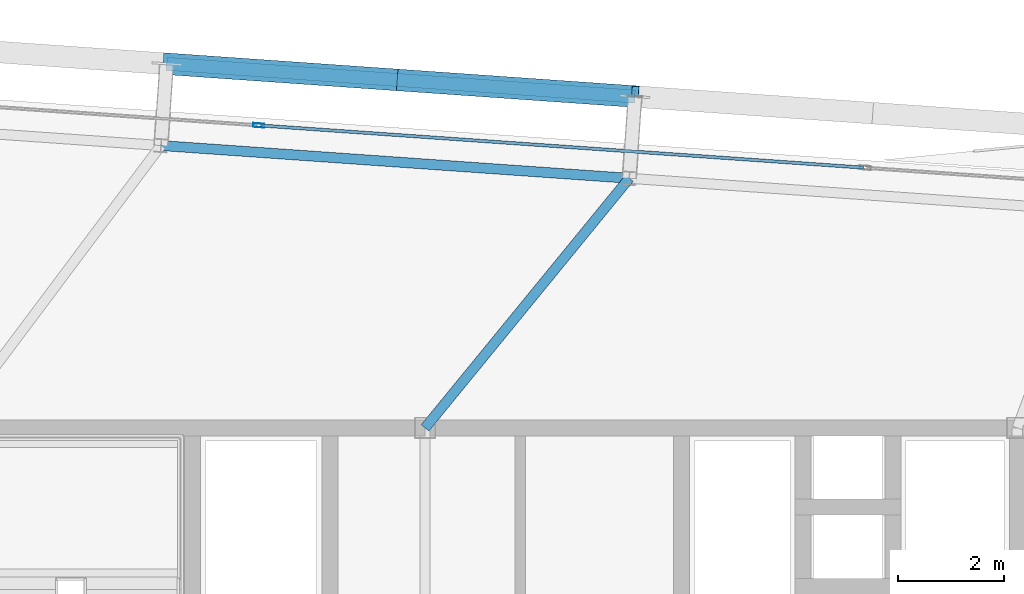
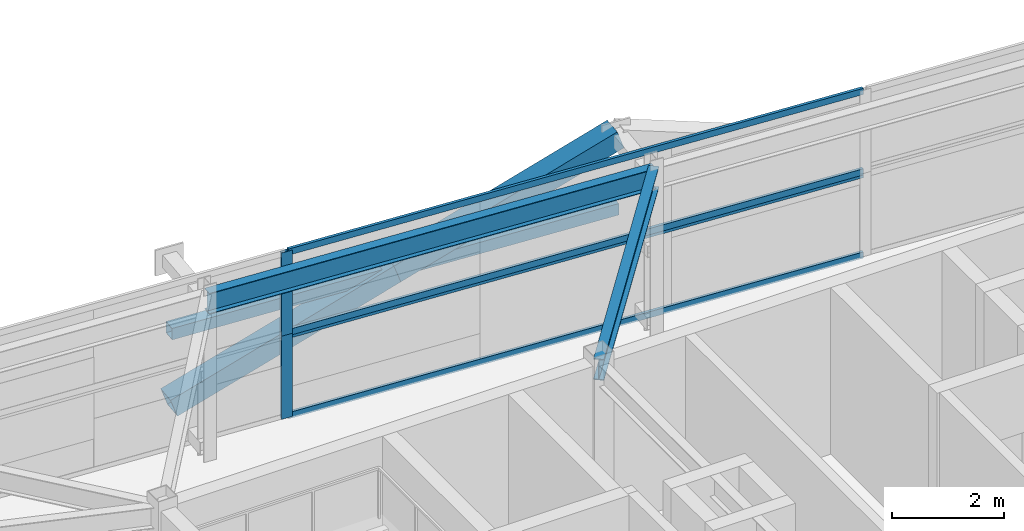
# One storey, part 20 of 36: 9 members, 2 beams, 2 elements without a shape of their own.
"""IFC4 building model written with IfcOpenShell, lengths in metres."""

from ifc_helpers import new_model, si_unit, direction, frame, origin, origin_2d, place, context, subcontext, project, spatial, hollow_rectangle, i_section, extrude, source, transform, mapped, material, layer, layer_set, material_profile, profile_set, type_object, element, aggregate, save


model = new_model("IFC4")

# Units and contexts
model_context = context("Model", 3, precision=1e-05, world=origin(), true_north=direction((0.0, 1.0)))
body_context = subcontext(model_context, "Body", "Model", "MODEL_VIEW")
ifc_project = project(units=[si_unit("LENGTHUNIT", "METRE"), si_unit("AREAUNIT", "SQUARE_METRE"), si_unit("VOLUMEUNIT", "CUBIC_METRE"), si_unit("PLANEANGLEUNIT", "RADIAN"), si_unit("MASSUNIT", "GRAM", prefix="KILO")], contexts=[model_context])

# Site, building, storey
site_placement = place(None, origin())
site = spatial("IfcSite", under=ifc_project, at=site_placement, CompositionType="ELEMENT")
building_placement = place(site_placement, origin())
building = spatial("IfcBuilding", under=site, at=building_placement, Name="Taldren Reach Tower", CompositionType="ELEMENT")
storey_placement = place(building_placement, frame((0.0, 0.0, 116.550048828125)))
storey = spatial("IfcBuildingStorey", under=building, at=storey_placement, Name="L35", CompositionType="ELEMENT", Elevation=116.550048828125)

# Beams
ifc_material_1 = material(Name="Steel Gr 350 (350PLUS)", Category="steel")
ifc_material_profile_1 = material_profile(ifc_material_1, i_section(OverallWidth=0.18994140625, OverallDepth=0.4541015625, WebThickness=0.008544921875, FlangeThickness=0.0126953125, at=origin_2d()), Name="460UB67.1")
ifc_profile_set_1 = profile_set([ifc_material_profile_1], Name="Steel Gr 350 (350PLUS)")
beam_type_1 = type_object("IfcBeamType", Name="SP-UB460B", PredefinedType="SPANDREL", material=ifc_profile_set_1)
shared_shape_1 = source(origin(), body_context, "Body", "SweptSolid", [
    extrude(i_section(OverallWidth=0.18994140625, OverallDepth=0.4541015625, WebThickness=0.008544921875, FlangeThickness=0.0126953125, at=origin_2d()), origin(), (0.0, 0.0, 1.0), 8.880126953125),
])
beam_1_placement = place(storey_placement, frame((31.861328125, 36.719970703125, 3.40283203125), z_axis=(-0.997564479639, 0.069750333063, 0.0), x_axis=(-0.069750333063, -0.997564479639, 0.0)))
element("IfcBeam", 1, at=beam_1_placement, inside=storey, type_object=beam_type_1, Name="Perimeter spandrel B3 N3-N2 L35", PredefinedType="SPANDREL", context=body_context, shape_type="MappedRepresentation", body=[
    mapped(shared_shape_1, transform((0.0, 0.0, 0.0), scale=1.0)),
])
ifc_material_profile_2 = material_profile(ifc_material_1, i_section(OverallWidth=0.19091796875, OverallDepth=0.4599609375, WebThickness=0.010009765625, FlangeThickness=0.01611328125, at=origin_2d()), Name="460UB82.1")
ifc_profile_set_2 = profile_set([ifc_material_profile_2], Name="Steel Gr 350 (350PLUS)")
beam_type_2 = type_object("IfcBeamType", Name="BM-UB460A", PredefinedType="BEAM", material=ifc_profile_set_2)
shared_shape_2 = source(origin(), body_context, "Body", "SweptSolid", [
    extrude(i_section(OverallWidth=0.19091796875, OverallDepth=0.4599609375, WebThickness=0.010009765625, FlangeThickness=0.01611328125, at=origin_2d()), origin(), (0.0, 0.0, 1.0), 6.09814453125),
])
beam_2_placement = place(storey_placement, frame((28.0, 32.0, 3.39990234375), z_axis=(0.633192006663, 0.773994756247, 0.0), x_axis=(-0.773994756247, 0.633192006663, 0.0)))
element("IfcBeam", 2, at=beam_2_placement, inside=storey, type_object=beam_type_2, Name="Primary floor girder B3-N3 L35", PredefinedType="BEAM", context=body_context, shape_type="MappedRepresentation", body=[
    mapped(shared_shape_2, transform((0.0, 0.0, 0.0), scale=1.0)),
])

# Members
ifc_material_2 = material(Name="Steel Gr 450 (C450L0)", Category="steel")
ifc_material_profile_3 = material_profile(ifc_material_2, hollow_rectangle(XDim=0.409912109375, YDim=0.409912109375, WallThickness=0.01611328125, at=origin_2d()), Name="410x410x16.0SHS")
ifc_profile_set_3 = profile_set([ifc_material_profile_3], Name="Steel Gr 450 (C450L0)")
member_type_1 = type_object("IfcMemberType", Name="MB-EXO406", PredefinedType="BRACE", material=ifc_profile_set_3)
shared_shape_3 = source(origin(), body_context, "Body", "SweptSolid", [
    extrude(hollow_rectangle(XDim=0.409912109375, YDim=0.409912109375, WallThickness=0.01611328125, at=origin_2d()), origin(), (0.0, 0.0, 1.0), 4.707763671875),
])
for number, where, z_axis, x_axis, name in (
    (3, (23.111083984375, 38.885498046875, 0.219970703125), (0.940836301296, -0.065757933527, 0.332419837466), (0.069722973508, 0.997566392259, 0.0), "Exoskeleton Diagrid Brace B3-N2 L35"),
    (4, (27.540283203125, 38.575927734375, 1.784912109375), (0.940833091628, -0.065809568585, 0.332418703414), (0.06977769246, 0.997562566276, 0.0), "Exoskeleton Diagrid Brace B3-N2 L35"),
):
    element("IfcMember", number, at=place(storey_placement, frame(where, z_axis=z_axis, x_axis=x_axis)), inside=storey, type_object=member_type_1, Name=name, PredefinedType="BRACE", context=body_context, shape_type="MappedRepresentation", body=[
        mapped(shared_shape_3, transform((0.0, 0.0, 0.0), scale=1.0)),
    ])
ifc_material_3 = material(Name="Steel Gr 350 (C350L0)", Category="steel")
ifc_material_profile_4 = material_profile(ifc_material_3, hollow_rectangle(XDim=0.25, YDim=0.25, WallThickness=0.010009765625, at=origin_2d()), Name="250x250x10.0SHS")
ifc_profile_set_4 = profile_set([ifc_material_profile_4], Name="Steel Gr 350 (C350L0)")
member_type_2 = type_object("IfcMemberType", Name="MB-POST250", PredefinedType="POST", material=ifc_profile_set_4)
shared_shape_4 = source(origin(), body_context, "Body", "SweptSolid", [
    extrude(hollow_rectangle(XDim=0.25, YDim=0.25, WallThickness=0.010009765625, at=origin_2d()), origin(), (0.0, 0.0, 1.0), 8.880126953125),
])
member_1_placement = place(storey_placement, frame((23.111083984375, 38.885498046875, 1.784912109375), z_axis=(0.997564479639, -0.069750333063, 0.0), x_axis=(0.069750333063, 0.997564479639, 0.0)))
element("IfcMember", 5, at=member_1_placement, inside=storey, type_object=member_type_2, Name="Exoskeleton mid-height ring chord B3-N2 L35", PredefinedType="POST", context=body_context, shape_type="MappedRepresentation", body=[
    mapped(shared_shape_4, transform((0.0, 0.0, 0.0), scale=1.0)),
])

# Curtain wall, member
ifc_material_4 = material(Name="Aluminium and Low-E Glass Unitised System", Category="aluminium")
ifc_layer = layer(ifc_material_4, 0.159912109375)
ifc_layer_set = layer_set([ifc_layer], Name="Aluminium and Low-E Glass Unitised System")
curtain_wall_type = type_object("IfcCurtainWallType", Name="CW-SYS-7", PredefinedType="NOTDEFINED", material=ifc_layer_set)
curtain_wall_1_placement = place(storey_placement, origin())
curtain_wall_1 = element("IfcCurtainWall", 6, at=curtain_wall_1_placement, inside=storey, type_object=curtain_wall_type, Name="Unitised curtain wall CW-L35-N", PredefinedType="NOTDEFINED")
ifc_material_5 = material(Name="Anodised Aluminium 6063-T6", Category="aluminium")
ifc_material_profile_5 = material_profile(ifc_material_5, hollow_rectangle(XDim=0.074951171875, YDim=0.2099609375, WallThickness=0.00439453125, at=origin_2d()), Name="ALU-210x75x4.5RHS")
ifc_profile_set_5 = profile_set([ifc_material_profile_5], Name="Anodised Aluminium 6063-T6")
member_type_3 = type_object("IfcMemberType", Name="CW-MUL-200", PredefinedType="MULLION", material=ifc_profile_set_5)
shared_shape_5 = source(origin(), body_context, "Body", "SweptSolid", [
    extrude(hollow_rectangle(XDim=0.074951171875, YDim=0.2099609375, WallThickness=0.00439453125, at=origin_2d()), origin(), (0.0, 0.0, 1.0), 1.81494140625),
])
member_2_placement = place(storey_placement, frame((24.85400390625, 37.72119140625, 0.0), z_axis=(0.0, 0.0, 1.0), x_axis=(-0.06975651593, -0.99756404731, 0.0)))
member_2 = element("IfcMember", 7, at=member_2_placement, type_object=member_type_3, Name="CW-7 mullion 4", PredefinedType="MULLION", context=body_context, shape_type="MappedRepresentation", body=[
    mapped(shared_shape_5, transform((0.0, 0.0, 0.0), scale=1.0)),
])

curtain_wall_2_placement = place(storey_placement, origin())
curtain_wall_2 = element("IfcCurtainWall", 8, at=curtain_wall_2_placement, inside=storey, type_object=curtain_wall_type, Name="Unitised curtain wall CW-L35-N-T2", PredefinedType="NOTDEFINED")
member_3_placement = place(storey_placement, frame((24.85400390625, 37.72119140625, 1.81494140625), z_axis=(0.0, 0.0, 1.0), x_axis=(-0.06975651593, -0.99756404731, 0.0)))
member_3 = element("IfcMember", 9, at=member_3_placement, type_object=member_type_3, Name="CW-7 mullion 4", PredefinedType="MULLION", context=body_context, shape_type="MappedRepresentation", body=[
    mapped(shared_shape_5, transform((0.0, 0.0, 0.0), scale=1.0)),
])

# Member
ifc_material_profile_6 = material_profile(ifc_material_5, hollow_rectangle(XDim=0.06005859375, YDim=0.135009765625, WallThickness=0.00341796875, at=origin_2d()), Name="ALU-135x60x3.5RHS")
ifc_profile_set_6 = profile_set([ifc_material_profile_6], Name="Anodised Aluminium 6063-T6")
member_type_4 = type_object("IfcMemberType", Name="CW-TRN-150", PredefinedType="USERDEFINED", material=ifc_profile_set_6)
shared_shape_6 = source(origin(), body_context, "Body", "SweptSolid", [
    extrude(hollow_rectangle(XDim=0.06005859375, YDim=0.135009765625, WallThickness=0.00341796875, at=origin_2d()), origin(), (0.0, 0.0, 1.0), 11.4248046875),
])
member_4_placement = place(storey_placement, frame((36.28857421875, 36.921630859375, 0.030029296875), z_axis=(-0.997564531191, 0.069749595772, 0.0), x_axis=(-0.069749595772, -0.997564531191, 0.0)))
member_4 = element("IfcMember", 10, at=member_4_placement, type_object=member_type_4, Name="CW-7 transom 3.1", ObjectType="TRANSOM", PredefinedType="USERDEFINED", context=body_context, shape_type="MappedRepresentation", body=[
    mapped(shared_shape_6, transform((0.0, 0.0, 0.0), scale=1.0)),
])

member_5_placement = place(storey_placement, frame((36.28857421875, 36.921630859375, 1.784912109375), z_axis=(-0.997564531191, 0.069749595772, 0.0), x_axis=(-0.069749595772, -0.997564531191, 0.0)))
member_5 = element("IfcMember", 11, at=member_5_placement, type_object=member_type_4, Name="CW-7 transom 3.2", ObjectType="TRANSOM", PredefinedType="USERDEFINED", context=body_context, shape_type="MappedRepresentation", body=[
    mapped(shared_shape_6, transform((0.0, 0.0, 0.0), scale=1.0)),
])

aggregate(curtain_wall_1, [member_2, member_4, member_5])

member_6_placement = place(storey_placement, frame((36.28857421875, 36.921630859375, 1.844970703125), z_axis=(-0.997564531191, 0.069749595772, 0.0), x_axis=(-0.069749595772, -0.997564531191, 0.0)))
member_6 = element("IfcMember", 12, at=member_6_placement, type_object=member_type_4, Name="CW-7 transom 3.1", ObjectType="TRANSOM", PredefinedType="USERDEFINED", context=body_context, shape_type="MappedRepresentation", body=[
    mapped(shared_shape_6, transform((0.0, 0.0, 0.0), scale=1.0)),
])

member_7_placement = place(storey_placement, frame((36.28857421875, 36.921630859375, 3.599853515625), z_axis=(-0.997564531191, 0.069749595772, 0.0), x_axis=(-0.069749595772, -0.997564531191, 0.0)))
member_7 = element("IfcMember", 13, at=member_7_placement, type_object=member_type_4, Name="CW-7 transom 3.2", ObjectType="TRANSOM", PredefinedType="USERDEFINED", context=body_context, shape_type="MappedRepresentation", body=[
    mapped(shared_shape_6, transform((0.0, 0.0, 0.0), scale=1.0)),
])

aggregate(curtain_wall_2, [member_3, member_6, member_7])

save(model, "model.ifc")
